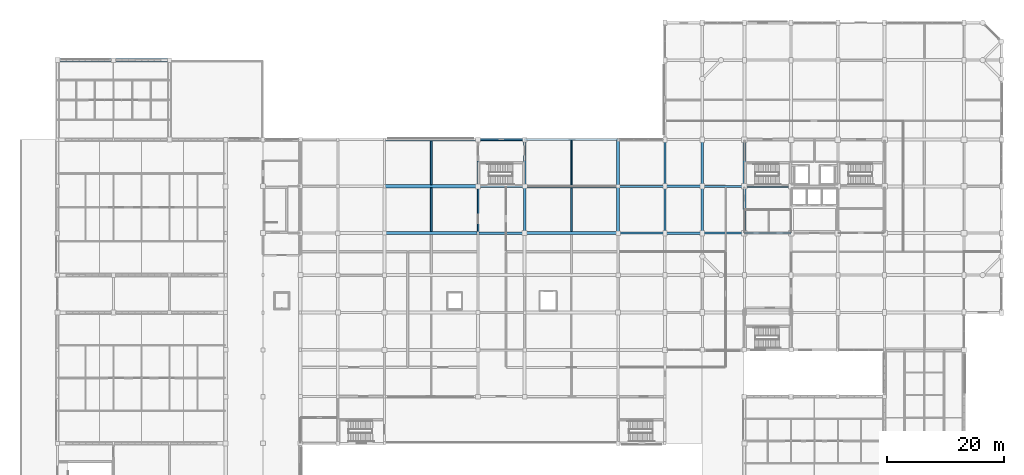
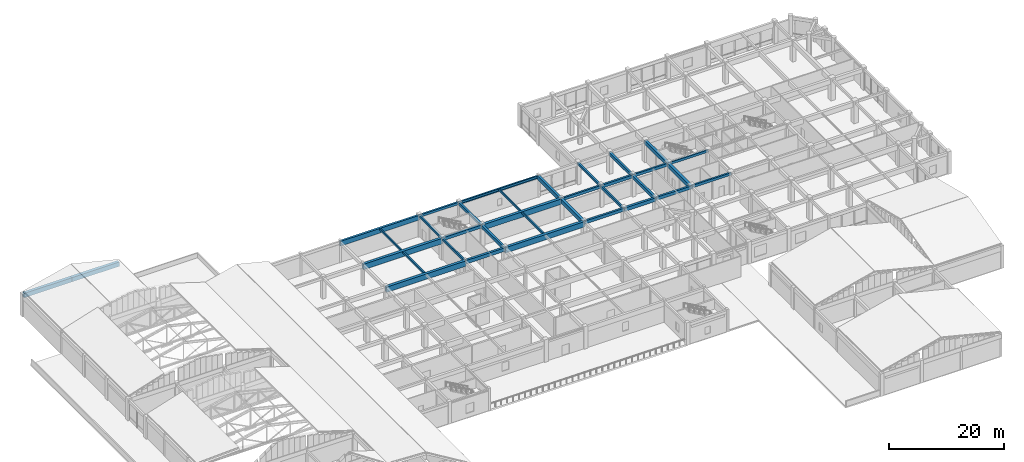
# One storey, part 23 of 61: 35 beams.
"""IFC4 building model written with IfcOpenShell, lengths in metres."""

from ifc_helpers import new_model, si_unit, direction, frame, origin, origin_2d, place, context, subcontext, project, spatial, rectangle, i_section, extrude, material, material_profile, profile_set, type_object, element, save


model = new_model("IFC4")

# Units and contexts
model_context = context("Model", 3, precision=1e-05, world=origin(), true_north=direction((0.0, 1.0)))
body_context = subcontext(model_context, "Body", "Model", "MODEL_VIEW")
ifc_project = project(units=[si_unit("LENGTHUNIT", "METRE"), si_unit("AREAUNIT", "SQUARE_METRE"), si_unit("VOLUMEUNIT", "CUBIC_METRE"), si_unit("PLANEANGLEUNIT", "RADIAN"), si_unit("MASSUNIT", "GRAM", prefix="KILO")], contexts=[model_context])

# Site, building, storey
site_placement = place(None, origin())
site = spatial("IfcSite", under=ifc_project, at=site_placement, CompositionType="ELEMENT")
building_placement = place(site_placement, origin())
building = spatial("IfcBuilding", under=site, at=building_placement, Name="Vellmiral Cinema and Media Centre", CompositionType="ELEMENT")
storey_placement = place(building_placement, frame((0.0, 0.0, 10.800048828125)))
storey = spatial("IfcBuildingStorey", under=building, at=storey_placement, Name="L02", CompositionType="ELEMENT", Elevation=10.800048828125)

# Beams
ifc_material_1 = material(Name="Concrete C40/50", Category="concrete")
ifc_material_profile_1 = material_profile(ifc_material_1, rectangle(XDim=0.300048828125, YDim=0.449951171875, at=origin_2d()), Name="RC 300x450")
ifc_profile_set_1 = profile_set([ifc_material_profile_1], Name="Concrete C40/50")
beam_type_1 = type_object("IfcBeamType", Name="BM-RC-300x450", PredefinedType="BEAM", material=ifc_profile_set_1)
beam_1_placement = place(storey_placement, frame((78.39990234375, 87.199951171875, 4.27001953125), z_axis=(0.0, 1.0, 0.0), x_axis=(-1.0, 0.0, 0.0)))
element("IfcBeam", 1, at=beam_1_placement, inside=storey, type_object=beam_type_1, Name="Grid Beam L02-Y124", PredefinedType="BEAM", context=body_context, shape_type="SweptSolid", body=[
    extrude(rectangle(XDim=0.300048828125, YDim=0.449951171875, at=origin_2d()), origin(), (0.0, 0.0, 1.0), 8.0),
])
ifc_material_2 = material(Name="Concrete C40/50", Category="concrete")
ifc_material_profile_2 = material_profile(ifc_material_2, rectangle(XDim=0.300048828125, YDim=0.5, at=origin_2d()), Name="RC 300x500")
ifc_profile_set_2 = profile_set([ifc_material_profile_2], Name="Concrete C40/50")
beam_type_2 = type_object("IfcBeamType", Name="BM-RC-300x500", PredefinedType="BEAM", material=ifc_profile_set_2)
for number, where, z_axis, x_axis, name in (
    (2, (124.0, 87.199951171875, 4.244873046875), (1.0, 0.0, 0.0), (0.0, 1.0, 0.0), "Grid Beam L02-X068"),
    (3, (78.39990234375, 79.199951171875, 4.244873046875), (0.0, 1.0, 0.0), (-1.0, 0.0, 0.0), "Grid Beam L02-Y123"),
):
    element("IfcBeam", number, at=place(storey_placement, frame(where, z_axis=z_axis, x_axis=x_axis)), inside=storey, type_object=beam_type_2, Name=name, PredefinedType="BEAM", context=body_context, shape_type="SweptSolid", body=[
        extrude(rectangle(XDim=0.300048828125, YDim=0.5, at=origin_2d()), origin(), (0.0, 0.0, 1.0), 8.0),
    ])
ifc_material_3 = material(Name="Concrete C40/50", Category="concrete")
ifc_material_profile_3 = material_profile(ifc_material_3, rectangle(XDim=0.35009765625, YDim=0.5, at=origin_2d()), Name="RC 350x500")
ifc_profile_set_3 = profile_set([ifc_material_profile_3], Name="Concrete C40/50")
beam_type_3 = type_object("IfcBeamType", Name="BM-RC-350x500", PredefinedType="BEAM", material=ifc_profile_set_3)
beam_2_placement = place(storey_placement, frame((110.39990234375, 87.199951171875, 4.244873046875), z_axis=(0.0, 1.0, 0.0), x_axis=(-1.0, 0.0, 0.0)))
element("IfcBeam", 4, at=beam_2_placement, inside=storey, type_object=beam_type_3, Name="Grid Beam L02-Y144", PredefinedType="BEAM", context=body_context, shape_type="SweptSolid", body=[
    extrude(rectangle(XDim=0.35009765625, YDim=0.5, at=origin_2d()), origin(), (0.0, 0.0, 1.0), 8.0),
])
ifc_material_4 = material(Name="Concrete C40/50", Category="concrete")
ifc_material_profile_4 = material_profile(ifc_material_4, rectangle(XDim=0.35009765625, YDim=0.550048828125, at=origin_2d()), Name="RC 350x550")
ifc_profile_set_4 = profile_set([ifc_material_profile_4], Name="Concrete C40/50")
beam_type_4 = type_object("IfcBeamType", Name="BM-RC-350x550", PredefinedType="BEAM", material=ifc_profile_set_4)
for number, where, z_axis, x_axis, name in (
    (5, (124.0, 79.199951171875, 4.219970703125), (1.0, 0.0, 0.0), (0.0, 1.0, 0.0), "Grid Beam L02-X055"),
    (6, (110.39990234375, 79.199951171875, 4.219970703125), (0.0, 1.0, 0.0), (-1.0, 0.0, 0.0), "Grid Beam L02-Y143"),
):
    element("IfcBeam", number, at=place(storey_placement, frame(where, z_axis=z_axis, x_axis=x_axis)), inside=storey, type_object=beam_type_4, Name=name, PredefinedType="BEAM", context=body_context, shape_type="SweptSolid", body=[
        extrude(rectangle(XDim=0.35009765625, YDim=0.550048828125, at=origin_2d()), origin(), (0.0, 0.0, 1.0), 8.0),
    ])
ifc_material_5 = material(Name="Concrete C40/50", Category="concrete")
ifc_material_profile_5 = material_profile(ifc_material_5, rectangle(XDim=0.35009765625, YDim=0.60009765625, at=origin_2d()), Name="RC 350x600")
ifc_profile_set_5 = profile_set([ifc_material_profile_5], Name="Concrete C40/50")
beam_type_5 = type_object("IfcBeamType", Name="BM-RC-350x600", PredefinedType="BEAM", material=ifc_profile_set_5)
beam_3_placement = place(storey_placement, frame((102.39990234375, 87.199951171875, 4.195068359375), z_axis=(1.0, 0.0, 0.0), x_axis=(0.0, 1.0, 0.0)))
element("IfcBeam", 7, at=beam_3_placement, inside=storey, type_object=beam_type_5, Name="Grid Beam L02-X065", PredefinedType="BEAM", context=body_context, shape_type="SweptSolid", body=[
    extrude(rectangle(XDim=0.35009765625, YDim=0.60009765625, at=origin_2d()), origin(), (0.0, 0.0, 1.0), 8.0),
])
beam_4_placement = place(storey_placement, frame((116.800048828125, 87.199951171875, 4.195068359375), z_axis=(1.0, 0.0, 0.0), x_axis=(0.0, 1.0, 0.0)))
element("IfcBeam", 8, at=beam_4_placement, inside=storey, type_object=beam_type_5, Name="Grid Beam L02-X067", PredefinedType="BEAM", context=body_context, shape_type="SweptSolid", body=[
    extrude(rectangle(XDim=0.35009765625, YDim=0.60009765625, at=origin_2d()), origin(), (0.0, 0.0, 1.0), 7.199951171875),
])
ifc_material_6 = material(Name="Concrete C40/50", Category="concrete")
ifc_material_profile_6 = material_profile(ifc_material_6, rectangle(XDim=0.39990234375, YDim=0.60009765625, at=origin_2d()), Name="RC 400x600")
ifc_profile_set_6 = profile_set([ifc_material_profile_6], Name="Concrete C40/50")
beam_type_6 = type_object("IfcBeamType", Name="BM-RC-400x600", PredefinedType="BEAM", material=ifc_profile_set_6)
beam_5_placement = place(storey_placement, frame((86.39990234375, 87.199951171875, 4.195068359375), z_axis=(0.0, 1.0, 0.0), x_axis=(-1.0, 0.0, 0.0)))
element("IfcBeam", 9, at=beam_5_placement, inside=storey, type_object=beam_type_6, Name="Grid Beam L02-Y130", PredefinedType="BEAM", context=body_context, shape_type="SweptSolid", body=[
    extrude(rectangle(XDim=0.39990234375, YDim=0.60009765625, at=origin_2d()), origin(), (0.0, 0.0, 1.0), 8.0),
])
ifc_material_7 = material(Name="Concrete C40/50", Category="concrete")
ifc_material_profile_7 = material_profile(ifc_material_7, rectangle(XDim=0.39990234375, YDim=0.64990234375, at=origin_2d()), Name="RC 400x650")
ifc_profile_set_7 = profile_set([ifc_material_profile_7], Name="Concrete C40/50")
beam_type_7 = type_object("IfcBeamType", Name="BM-RC-400x650", PredefinedType="BEAM", material=ifc_profile_set_7)
beam_6_placement = place(storey_placement, frame((102.39990234375, 79.199951171875, 4.169921875), z_axis=(1.0, 0.0, 0.0), x_axis=(0.0, 1.0, 0.0)))
element("IfcBeam", 10, at=beam_6_placement, inside=storey, type_object=beam_type_7, Name="Grid Beam L02-X052", PredefinedType="BEAM", context=body_context, shape_type="SweptSolid", body=[
    extrude(rectangle(XDim=0.39990234375, YDim=0.64990234375, at=origin_2d()), origin(), (0.0, 0.0, 1.0), 8.0),
])
beam_7_placement = place(storey_placement, frame((116.800048828125, 79.199951171875, 4.169921875), z_axis=(1.0, 0.0, 0.0), x_axis=(0.0, 1.0, 0.0)))
element("IfcBeam", 11, at=beam_7_placement, inside=storey, type_object=beam_type_7, Name="Grid Beam L02-X054", PredefinedType="BEAM", context=body_context, shape_type="SweptSolid", body=[
    extrude(rectangle(XDim=0.39990234375, YDim=0.64990234375, at=origin_2d()), origin(), (0.0, 0.0, 1.0), 7.199951171875),
])
beam_8_placement = place(storey_placement, frame((78.39990234375, 87.199951171875, 4.169921875), z_axis=(1.0, 0.0, 0.0), x_axis=(0.0, 1.0, 0.0)))
element("IfcBeam", 12, at=beam_8_placement, inside=storey, type_object=beam_type_7, Name="Grid Beam L02-X063", PredefinedType="BEAM", context=body_context, shape_type="SweptSolid", body=[
    extrude(rectangle(XDim=0.39990234375, YDim=0.64990234375, at=origin_2d()), origin(), (0.0, 0.0, 1.0), 8.0),
])
beam_9_placement = place(storey_placement, frame((110.39990234375, 87.199951171875, 4.169921875), z_axis=(1.0, 0.0, 0.0), x_axis=(0.0, 1.0, 0.0)))
element("IfcBeam", 13, at=beam_9_placement, inside=storey, type_object=beam_type_7, Name="Grid Beam L02-X066", PredefinedType="BEAM", context=body_context, shape_type="SweptSolid", body=[
    extrude(rectangle(XDim=0.39990234375, YDim=0.64990234375, at=origin_2d()), origin(), (0.0, 0.0, 1.0), 6.400146484375),
])
for number, where, z_axis, x_axis, name in (
    (14, (86.39990234375, 79.199951171875, 4.169921875), (0.0, 1.0, 0.0), (-1.0, 0.0, 0.0), "Grid Beam L02-Y129"),
    (15, (116.800048828125, 87.199951171875, 4.169921875), (0.0, 1.0, 0.0), (-1.0, 0.0, 0.0), "Grid Beam L02-Y151"),
):
    element("IfcBeam", number, at=place(storey_placement, frame(where, z_axis=z_axis, x_axis=x_axis)), inside=storey, type_object=beam_type_7, Name=name, PredefinedType="BEAM", context=body_context, shape_type="SweptSolid", body=[
        extrude(rectangle(XDim=0.39990234375, YDim=0.64990234375, at=origin_2d()), origin(), (0.0, 0.0, 1.0), 8.0),
    ])
ifc_material_8 = material(Name="Concrete C40/50", Category="concrete")
ifc_material_profile_8 = material_profile(ifc_material_8, rectangle(XDim=0.449951171875, YDim=0.699951171875, at=origin_2d()), Name="RC 450x700")
ifc_profile_set_8 = profile_set([ifc_material_profile_8], Name="Concrete C40/50")
beam_type_8 = type_object("IfcBeamType", Name="BM-RC-450x700", PredefinedType="BEAM", material=ifc_profile_set_8)
beam_10_placement = place(storey_placement, frame((116.800048828125, 79.199951171875, 4.14501953125), z_axis=(0.0, 1.0, 0.0), x_axis=(-1.0, 0.0, 0.0)))
element("IfcBeam", 16, at=beam_10_placement, inside=storey, type_object=beam_type_8, Name="Grid Beam L02-Y150", PredefinedType="BEAM", context=body_context, shape_type="SweptSolid", body=[
    extrude(rectangle(XDim=0.449951171875, YDim=0.699951171875, at=origin_2d()), origin(), (0.0, 0.0, 1.0), 8.0),
])
ifc_material_9 = material(Name="Concrete C40/50", Category="concrete")
ifc_material_profile_9 = material_profile(ifc_material_9, rectangle(XDim=0.449951171875, YDim=0.75, at=origin_2d()), Name="RC 450x750")
ifc_profile_set_9 = profile_set([ifc_material_profile_9], Name="Concrete C40/50")
beam_type_9 = type_object("IfcBeamType", Name="BM-RC-450x750", PredefinedType="BEAM", material=ifc_profile_set_9)
beam_11_placement = place(storey_placement, frame((78.39990234375, 79.199951171875, 4.119873046875), z_axis=(1.0, 0.0, 0.0), x_axis=(0.0, 1.0, 0.0)))
element("IfcBeam", 17, at=beam_11_placement, inside=storey, type_object=beam_type_9, Name="Grid Beam L02-X050", PredefinedType="BEAM", context=body_context, shape_type="SweptSolid", body=[
    extrude(rectangle(XDim=0.449951171875, YDim=0.75, at=origin_2d()), origin(), (0.0, 0.0, 1.0), 8.0),
])
beam_12_placement = place(storey_placement, frame((110.39990234375, 79.199951171875, 4.119873046875), z_axis=(1.0, 0.0, 0.0), x_axis=(0.0, 1.0, 0.0)))
element("IfcBeam", 18, at=beam_12_placement, inside=storey, type_object=beam_type_9, Name="Grid Beam L02-X053", PredefinedType="BEAM", context=body_context, shape_type="SweptSolid", body=[
    extrude(rectangle(XDim=0.449951171875, YDim=0.75, at=origin_2d()), origin(), (0.0, 0.0, 1.0), 6.400146484375),
])
ifc_material_10 = material(Name="Concrete C40/50", Category="concrete")
ifc_material_profile_10 = material_profile(ifc_material_10, rectangle(XDim=0.5, YDim=0.800048828125, at=origin_2d()), Name="RC 500x800")
ifc_profile_set_10 = profile_set([ifc_material_profile_10], Name="Concrete C40/50")
beam_type_10 = type_object("IfcBeamType", Name="BM-RC-500x800", PredefinedType="BEAM", material=ifc_profile_set_10)
for number, where, z_axis, x_axis, name in (
    (19, (102.39990234375, 87.199951171875, 4.094970703125), (0.0, 1.0, 0.0), (-1.0, 0.0, 0.0), "Grid Beam L02-Y137"),
    (20, (124.0, 87.199951171875, 4.094970703125), (0.0, 1.0, 0.0), (-1.0, 0.0, 0.0), "Grid Beam L02-Y159"),
):
    element("IfcBeam", number, at=place(storey_placement, frame(where, z_axis=z_axis, x_axis=x_axis)), inside=storey, type_object=beam_type_10, Name=name, PredefinedType="BEAM", context=body_context, shape_type="SweptSolid", body=[
        extrude(rectangle(XDim=0.5, YDim=0.800048828125, at=origin_2d()), origin(), (0.0, 0.0, 1.0), 8.0),
    ])
ifc_material_11 = material(Name="Concrete C40/50", Category="concrete")
ifc_material_profile_11 = material_profile(ifc_material_11, rectangle(XDim=0.5, YDim=0.85009765625, at=origin_2d()), Name="RC 500x850")
ifc_profile_set_11 = profile_set([ifc_material_profile_11], Name="Concrete C40/50")
beam_type_11 = type_object("IfcBeamType", Name="BM-RC-500x850", PredefinedType="BEAM", material=ifc_profile_set_11)
for number, where, z_axis, x_axis, name in (
    (21, (102.39990234375, 79.199951171875, 4.070068359375), (0.0, 1.0, 0.0), (-1.0, 0.0, 0.0), "Grid Beam L02-Y136"),
    (22, (124.0, 79.199951171875, 4.070068359375), (0.0, 1.0, 0.0), (-1.0, 0.0, 0.0), "Grid Beam L02-Y158"),
):
    element("IfcBeam", number, at=place(storey_placement, frame(where, z_axis=z_axis, x_axis=x_axis)), inside=storey, type_object=beam_type_11, Name=name, PredefinedType="BEAM", context=body_context, shape_type="SweptSolid", body=[
        extrude(rectangle(XDim=0.5, YDim=0.85009765625, at=origin_2d()), origin(), (0.0, 0.0, 1.0), 8.0),
    ])
ifc_material_12 = material(Name="Concrete C40/50", Category="concrete")
ifc_material_profile_12 = material_profile(ifc_material_12, rectangle(XDim=0.550048828125, YDim=1.14990234375, at=origin_2d()), Name="RC 550x1150")
ifc_profile_set_12 = profile_set([ifc_material_profile_12], Name="Concrete C40/50")
beam_type_12 = type_object("IfcBeamType", Name="BM-RCG-550x1150", PredefinedType="BEAM", material=ifc_profile_set_12)
for number, where, z_axis, x_axis, name in (
    (23, (62.39990234375, 79.199951171875, 3.919921875), (1.0, 0.0, 0.0), (0.0, 1.0, 0.0), "Grid Beam L02-X049"),
    (24, (86.39990234375, 79.199951171875, 3.919921875), (1.0, 0.0, 0.0), (0.0, 1.0, 0.0), "Grid Beam L02-X051"),
    (25, (62.39990234375, 87.199951171875, 3.919921875), (1.0, 0.0, 0.0), (0.0, 1.0, 0.0), "Grid Beam L02-X062"),
    (26, (86.39990234375, 87.199951171875, 3.919921875), (1.0, 0.0, 0.0), (0.0, 1.0, 0.0), "Grid Beam L02-X064"),
):
    element("IfcBeam", number, at=place(storey_placement, frame(where, z_axis=z_axis, x_axis=x_axis)), inside=storey, type_object=beam_type_12, Name=name, PredefinedType="BEAM", context=body_context, shape_type="SweptSolid", body=[
        extrude(rectangle(XDim=0.550048828125, YDim=1.14990234375, at=origin_2d()), origin(), (0.0, 0.0, 1.0), 16.0),
    ])
ifc_material_13 = material(Name="Concrete C40/50", Category="concrete")
ifc_material_profile_13 = material_profile(ifc_material_13, rectangle(XDim=0.260009765625, YDim=0.3798828125, at=origin_2d()), Name="RC 260x380")
ifc_profile_set_13 = profile_set([ifc_material_profile_13], Name="Concrete C40/50")
beam_type_13 = type_object("IfcBeamType", Name="JST-RC-260x380", PredefinedType="JOIST", material=ifc_profile_set_13)
beam_13_placement = place(storey_placement, frame((70.39990234375, 87.47509765625, 4.304931640625), z_axis=(0.0, 1.0, 0.0), x_axis=(-1.0, 0.0, 0.0)))
element("IfcBeam", 27, at=beam_13_placement, inside=storey, type_object=beam_type_13, Name="Secondary Floor Joist L02-006", PredefinedType="JOIST", context=body_context, shape_type="SweptSolid", body=[
    extrude(rectangle(XDim=0.260009765625, YDim=0.3798828125, at=origin_2d()), origin(), (0.0, 0.0, 1.0), 7.514892578125),
])
beam_14_placement = place(storey_placement, frame((94.39990234375, 87.47509765625, 4.304931640625), z_axis=(0.0, 1.0, 0.0), x_axis=(-1.0, 0.0, 0.0)))
element("IfcBeam", 28, at=beam_14_placement, inside=storey, type_object=beam_type_13, Name="Secondary Floor Joist L02-012", PredefinedType="JOIST", context=body_context, shape_type="SweptSolid", body=[
    extrude(rectangle(XDim=0.260009765625, YDim=0.3798828125, at=origin_2d()), origin(), (0.0, 0.0, 1.0), 7.574951171875),
])
ifc_material_14 = material(Name="Concrete C40/50", Category="concrete")
ifc_material_profile_14 = material_profile(ifc_material_14, rectangle(XDim=0.280029296875, YDim=0.39990234375, at=origin_2d()), Name="RC 280x400")
ifc_profile_set_14 = profile_set([ifc_material_profile_14], Name="Concrete C40/50")
beam_type_14 = type_object("IfcBeamType", Name="JST-RC-280x400", PredefinedType="JOIST", material=ifc_profile_set_14)
for number, where, z_axis, x_axis, name in (
    (29, (70.39990234375, 79.47509765625, 4.294921875), (0.0, 1.0, 0.0), (-1.0, 0.0, 0.0), "Secondary Floor Joist L02-005"),
    (30, (94.39990234375, 79.47509765625, 4.294921875), (0.0, 1.0, 0.0), (-1.0, 0.0, 0.0), "Secondary Floor Joist L02-011"),
):
    element("IfcBeam", number, at=place(storey_placement, frame(where, z_axis=z_axis, x_axis=x_axis)), inside=storey, type_object=beam_type_14, Name=name, PredefinedType="JOIST", context=body_context, shape_type="SweptSolid", body=[
        extrude(rectangle(XDim=0.280029296875, YDim=0.39990234375, at=origin_2d()), origin(), (0.0, 0.0, 1.0), 7.449951171875),
    ])
ifc_material_15 = material(Name="Concrete C40/50", Category="concrete")
ifc_material_profile_15 = material_profile(ifc_material_15, rectangle(XDim=0.60009765625, YDim=0.89990234375, at=origin_2d()), Name="RC 600x900")
ifc_profile_set_15 = profile_set([ifc_material_profile_15], Name="Concrete C40/50")
beam_type_15 = type_object("IfcBeamType", Name="RING-BM-600x900", PredefinedType="BEAM", material=ifc_profile_set_15)
for number, where, z_axis, x_axis, name in (
    (31, (6.39990234375, 108.800048828125, 4.349853515625), (1.0, 0.0, 0.0), (0.0, 1.0, 0.0), "Cinema Screen 4 Ring Beam 01"),
    (32, (16.0, 108.800048828125, 4.349853515625), (1.0, 0.0, 0.0), (0.0, 1.0, 0.0), "Cinema Screen 4 Ring Beam 02"),
):
    element("IfcBeam", number, at=place(storey_placement, frame(where, z_axis=z_axis, x_axis=x_axis)), inside=storey, type_object=beam_type_15, Name=name, PredefinedType="BEAM", context=body_context, shape_type="SweptSolid", body=[
        extrude(rectangle(XDim=0.60009765625, YDim=0.89990234375, at=origin_2d()), origin(), (0.0, 0.0, 1.0), 9.60009765625),
    ])
ifc_material_16 = material(Name="Steel S355", Category="steel")
ifc_material_profile_16 = material_profile(ifc_material_16, i_section(OverallWidth=0.300048828125, OverallDepth=0.60009765625, WebThickness=0.015380859375, FlangeThickness=0.030029296875, FilletRadius=0.027099609375, at=origin_2d()), Name="HEB 600")
ifc_profile_set_16 = profile_set([ifc_material_profile_16], Name="Steel S355")
beam_type_16 = type_object("IfcBeamType", Name="SBM-HEB600-SPD", PredefinedType="SPANDREL", material=ifc_profile_set_16)
beam_15_placement = place(storey_placement, frame((86.39990234375, 95.199951171875, 4.195068359375), z_axis=(1.0, 0.0, 0.0), x_axis=(0.0, 1.0, 0.0)))
element("IfcBeam", 33, at=beam_15_placement, inside=storey, type_object=beam_type_16, Name="Grid Beam L02-X077", PredefinedType="SPANDREL", context=body_context, shape_type="SweptSolid", body=[
    extrude(i_section(OverallWidth=0.300048828125, OverallDepth=0.60009765625, WebThickness=0.015380859375, FlangeThickness=0.030029296875, FilletRadius=0.027099609375, at=origin_2d()), origin(), (0.0, 0.0, 1.0), 16.0),
])
ifc_material_17 = material(Name="Vosges Red Sandstone Masonry", Category="masonry")
ifc_material_profile_17 = material_profile(ifc_material_17, rectangle(XDim=0.340087890625, YDim=0.52001953125, at=origin_2d()), Name="SAND 340x520")
ifc_profile_set_17 = profile_set([ifc_material_profile_17], Name="Vosges Red Sandstone Masonry")
beam_type_17 = type_object("IfcBeamType", Name="SPD-SAND-340x520", PredefinedType="SPANDREL", material=ifc_profile_set_17)
beam_16_placement = place(storey_placement, frame((78.39990234375, 95.199951171875, 4.23486328125), z_axis=(1.0, 0.0, 0.0), x_axis=(0.0, 1.0, 0.0)))
element("IfcBeam", 34, at=beam_16_placement, inside=storey, type_object=beam_type_17, Name="Grid Beam L02-X076", PredefinedType="SPANDREL", context=body_context, shape_type="SweptSolid", body=[
    extrude(rectangle(XDim=0.340087890625, YDim=0.52001953125, at=origin_2d()), origin(), (0.0, 0.0, 1.0), 8.0),
])
ifc_material_18 = material(Name="Vosges Red Sandstone Masonry", Category="masonry")
ifc_material_profile_18 = material_profile(ifc_material_18, rectangle(XDim=0.419921875, YDim=1.0, at=origin_2d()), Name="SAND 420x1000")
ifc_profile_set_18 = profile_set([ifc_material_profile_18], Name="Vosges Red Sandstone Masonry")
beam_type_18 = type_object("IfcBeamType", Name="SPD-SANDG-420x1000", PredefinedType="SPANDREL", material=ifc_profile_set_18)
beam_17_placement = place(storey_placement, frame((62.39990234375, 95.199951171875, 3.994873046875), z_axis=(1.0, 0.0, 0.0), x_axis=(0.0, 1.0, 0.0)))
element("IfcBeam", 35, at=beam_17_placement, inside=storey, type_object=beam_type_18, Name="Grid Beam L02-X075", PredefinedType="SPANDREL", context=body_context, shape_type="SweptSolid", body=[
    extrude(rectangle(XDim=0.419921875, YDim=1.0, at=origin_2d()), origin(), (0.0, 0.0, 1.0), 16.0),
])

save(model, "model.ifc")
